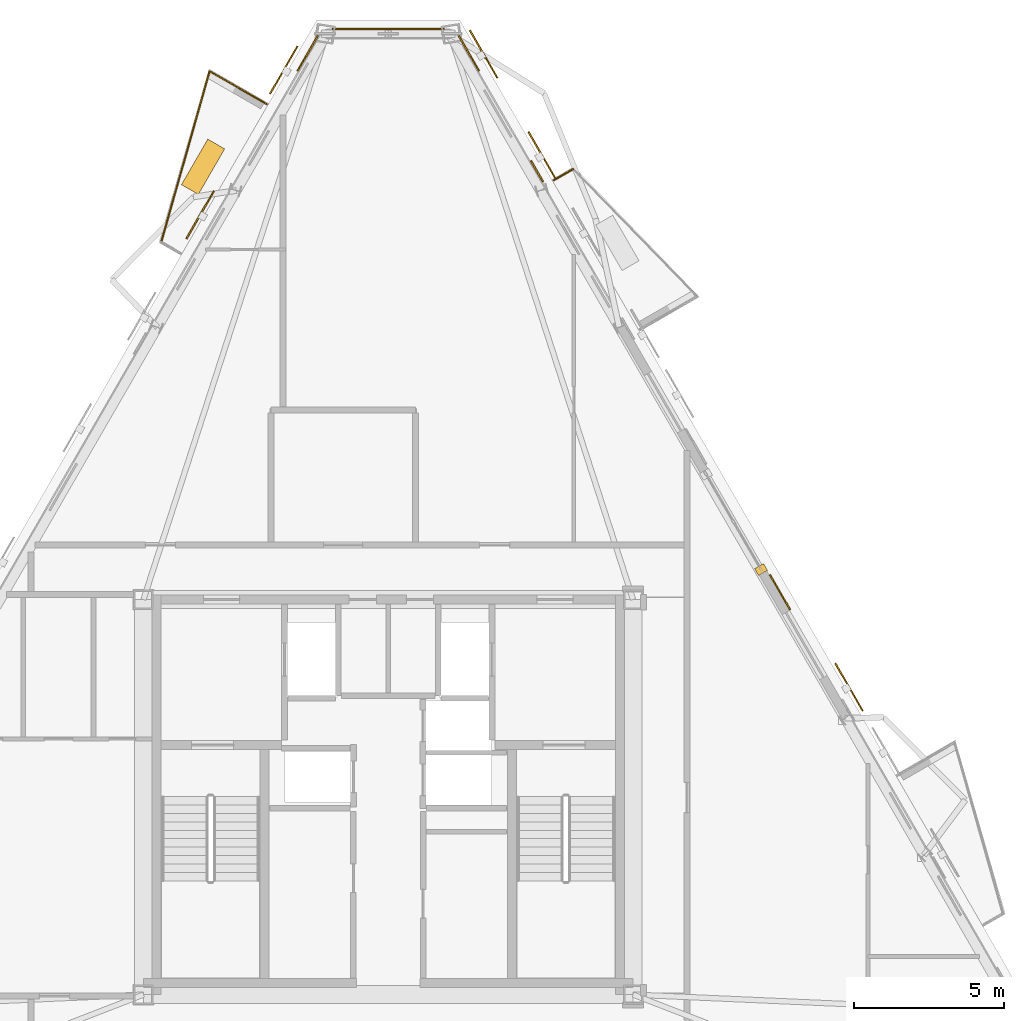
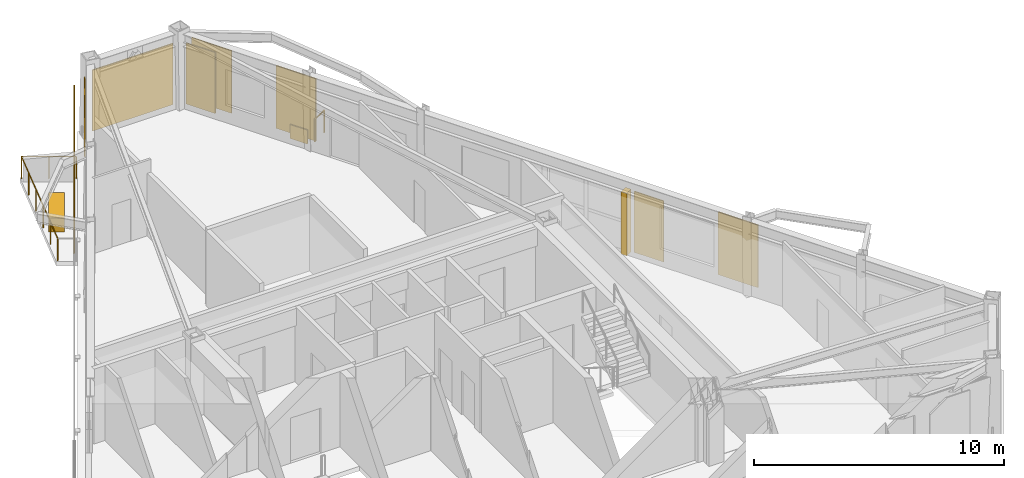
# One storey, part 15 of 15: 7 coverings, 5 shading devices, 3 railings.
"""IFC4 building model written with IfcOpenShell, lengths in metres."""

from ifc_helpers import new_model, si_unit, direction, frame, origin, origin_2d, place, context, subcontext, project, spatial, rectangle, circle, extrude, material, layer, layer_set, type_object, element, save


model = new_model("IFC4")

# Units and contexts
model_context = context("Model", 3, precision=1e-05, world=origin(), true_north=direction((0.0, 1.0)))
body_context = subcontext(model_context, "Body", "Model", "MODEL_VIEW")
ifc_project = project(units=[si_unit("LENGTHUNIT", "METRE"), si_unit("AREAUNIT", "SQUARE_METRE"), si_unit("VOLUMEUNIT", "CUBIC_METRE"), si_unit("PLANEANGLEUNIT", "RADIAN"), si_unit("MASSUNIT", "GRAM", prefix="KILO")], contexts=[model_context])

# Site, building, storey
site_placement = place(None, origin())
site = spatial("IfcSite", under=ifc_project, at=site_placement, CompositionType="ELEMENT")
building_placement = place(site_placement, origin())
building = spatial("IfcBuilding", under=site, at=building_placement, Name="Oramaril Tower", CompositionType="ELEMENT")
storey_placement = place(building_placement, frame((0.0, 0.0, 288.89990234375)))
storey = spatial("IfcBuildingStorey", under=building, at=storey_placement, Name="L76", CompositionType="ELEMENT", Elevation=288.89990234375)

# Coverings
ifc_material_1 = material(Name="Warm Cream Limestone", Category="masonry")
ifc_layer = layer(ifc_material_1, 0.050048828125)
ifc_layer_set = layer_set([ifc_layer], Name="CVT-CLD")
covering_type = type_object("IfcCoveringType", Name="CVT-CLD", PredefinedType="CLADDING", material=ifc_layer_set)
covering_1_placement = place(storey_placement, frame((49.909423828125, 25.151611328125, 0.0), z_axis=(0.0, 0.0, 1.0), x_axis=(-0.5, 0.866025403784, 0.0)))
element("IfcCovering", 1, at=covering_1_placement, inside=storey, type_object=covering_type, Name="L76 Curtain Wall Limestone Jamb Closure", PredefinedType="CLADDING", context=body_context, shape_type="SweptSolid", body=[
    extrude(rectangle(XDim=0.260009765625, YDim=0.340087890625, at=origin_2d()), origin(), (0.0, 0.0, 1.0), 3.05810546875),
])
for number, where, z_axis, x_axis, name in (
    (2, (50.539794921875, 24.3955078125, 0.0400390625), (0.0, 0.0, 1.0), (-0.4999984885, 0.866026276448, 0.0), "L76 Warm Cream Limestone Cladding"),
    (3, (40.18359375, 42.33349609375, 0.0400390625), (0.0, 0.0, 1.0), (-0.4999984885, 0.866026276448, 0.0), "L76 Warm Cream Limestone Cladding"),
):
    element("IfcCovering", number, at=place(storey_placement, frame(where, z_axis=z_axis, x_axis=x_axis)), inside=storey, type_object=covering_type, Name=name, PredefinedType="CLADDING", context=body_context, shape_type="SweptSolid", body=[
        extrude(rectangle(XDim=1.35009765625, YDim=0.050048828125, at=origin_2d()), origin(), (0.0, 0.0, 1.0), 2.97802734375),
    ])
covering_2_placement = place(storey_placement, frame((42.448486328125, 38.41015625, 0.0400390625), z_axis=(0.0, 0.0, 1.0), x_axis=(-0.4999984885, 0.866026276448, 0.0)))
element("IfcCovering", 4, at=covering_2_placement, inside=storey, type_object=covering_type, Name="L76 Warm Cream Limestone Spandrel Cladding", PredefinedType="CLADDING", context=body_context, shape_type="SweptSolid", body=[
    extrude(rectangle(XDim=0.800048828125, YDim=0.050048828125, at=origin_2d()), origin(), (0.0, 0.0, 1.0), 0.679931640625),
])
covering_3_placement = place(storey_placement, frame((37.5, 43.153564453125, 0.0400390625), z_axis=(0.0, 0.0, 1.0), x_axis=(-1.0, 0.0, 0.0)))
element("IfcCovering", 5, at=covering_3_placement, inside=storey, type_object=covering_type, Name="L76 Warm Cream Limestone Cladding", PredefinedType="CLADDING", context=body_context, shape_type="SweptSolid", body=[
    extrude(rectangle(XDim=3.72607421875, YDim=0.050048828125, at=origin_2d()), origin(), (0.0, 0.0, 1.0), 2.97802734375),
])
covering_4_placement = place(storey_placement, frame((34.81640625, 42.33349609375, 0.0400390625), z_axis=(0.0, 0.0, 1.0), x_axis=(-0.4999984885, -0.866026276448, 0.0)))
element("IfcCovering", 6, at=covering_4_placement, inside=storey, type_object=covering_type, Name="L76 Warm Cream Limestone Cladding", PredefinedType="CLADDING", context=body_context, shape_type="SweptSolid", body=[
    extrude(rectangle(XDim=1.35009765625, YDim=0.050048828125, at=origin_2d()), origin(), (0.0, 0.0, 1.0), 2.97802734375),
])
covering_5_placement = place(storey_placement, frame((31.33447265625, 38.559326171875, 0.0), z_axis=(0.0, 0.0, 1.0), x_axis=(-0.4999984885, -0.866026276448, 0.0)))
element("IfcCovering", 7, at=covering_5_placement, inside=storey, type_object=covering_type, Name="L76 Structural Tree Planter Box L76-BAL-NW1", PredefinedType="CLADDING", context=body_context, shape_type="SweptSolid", body=[
    extrude(rectangle(XDim=1.75, YDim=0.64990234375, at=origin_2d()), origin(), (0.0, 0.0, 1.0), 0.699951171875),
])

# Railings
ifc_material_2 = material(Name="Stainless Steel 316L", Category="steel")
railing_type = type_object("IfcRailingType", Name="RLT-GRD", PredefinedType="GUARDRAIL", material=ifc_material_2)
railing_1_placement = place(storey_placement, frame((43.0126953125, 38.113037109375, 0.0)))
element("IfcRailing", 8, at=railing_1_placement, inside=storey, type_object=railing_type, Name="L76 Balcony Guardrail L76-BAL-NE2.1", PredefinedType="GUARDRAIL", context=body_context, shape_type="SweptSolid", body=[
    extrude(circle(Radius=0.02392578125, at=origin_2d()), frame((0.0, 0.0, 1.076171875), z_axis=(0.865966403178, 0.500102178127, 0.0), x_axis=(-0.500102178127, 0.865966403178, 0.0)), (0.0, 0.0, 1.0), 0.741943359375),
    extrude(circle(Radius=0.02099609375, at=origin_2d()), origin(), (0.0, 0.0, 1.0), 1.052001953125),
    extrude(circle(Radius=0.02099609375, at=origin_2d()), frame((0.642578125, 0.37109375, 0.0)), (0.0, 0.0, 1.0), 1.052001953125),
])
railing_2_placement = place(storey_placement, frame((29.9423828125, 36.054931640625, 0.0)))
element("IfcRailing", 9, at=railing_2_placement, inside=storey, type_object=railing_type, Name="L76 Balcony Guardrail L76-BAL-NW1.2", PredefinedType="GUARDRAIL", context=body_context, shape_type="SweptSolid", body=[
    extrude(circle(Radius=0.02392578125, at=origin_2d()), frame((0.0, 0.0, 1.076171875), z_axis=(0.27224886544, 0.962226873074, 0.0), x_axis=(-0.962226873074, 0.27224886544, 0.0)), (0.0, 0.0, 1.0), 5.910400390625),
    extrude(circle(Radius=0.02099609375, at=origin_2d()), origin(), (0.0, 0.0, 1.0), 1.052001953125),
    extrude(circle(Radius=0.02099609375, at=origin_2d()), frame((0.32177734375, 1.137451171875, 0.0)), (0.0, 0.0, 1.0), 1.052001953125),
    extrude(circle(Radius=0.02099609375, at=origin_2d()), frame((0.6435546875, 2.27490234375, 0.0)), (0.0, 0.0, 1.0), 1.052001953125),
    extrude(circle(Radius=0.02099609375, at=origin_2d()), frame((0.965576171875, 3.412353515625, 0.0)), (0.0, 0.0, 1.0), 1.052001953125),
    extrude(circle(Radius=0.02099609375, at=origin_2d()), frame((1.287353515625, 4.5498046875, 0.0)), (0.0, 0.0, 1.0), 1.052001953125),
    extrude(circle(Radius=0.02099609375, at=origin_2d()), frame((1.609130859375, 5.687255859375, 0.0)), (0.0, 0.0, 1.0), 1.052001953125),
])
railing_3_placement = place(storey_placement, frame((31.551513671875, 41.7421875, 0.0)))
element("IfcRailing", 10, at=railing_3_placement, inside=storey, type_object=railing_type, Name="L76 Balcony Guardrail L76-BAL-NW1.3", PredefinedType="GUARDRAIL", context=body_context, shape_type="SweptSolid", body=[
    extrude(circle(Radius=0.02392578125, at=origin_2d()), frame((0.0, 0.0, 1.076171875), z_axis=(0.866020500697, -0.5000084923, 0.0), x_axis=(0.5000084923, 0.866020500697, 0.0)), (0.0, 0.0, 1.0), 2.19189453125),
    extrude(circle(Radius=0.02099609375, at=origin_2d()), origin(), (0.0, 0.0, 1.0), 1.052001953125),
    extrude(circle(Radius=0.02099609375, at=origin_2d()), frame((0.94921875, -0.5478515625, 0.0)), (0.0, 0.0, 1.0), 1.052001953125),
    extrude(circle(Radius=0.02099609375, at=origin_2d()), frame((1.898193359375, -1.095947265625, 0.0)), (0.0, 0.0, 1.0), 1.052001953125),
])

# Shading devices
for number, where, z_axis, x_axis, name in (
    (11, (52.837646484375, 21.239501953125, -0.02001953125), (0.0, 0.0, 1.0), (-0.499996976998, 0.866027149108, 0.0), "L76 Perforated Ceramic Solar Screen"),
    (12, (42.62353515625, 38.93115234375, -0.02001953125), (0.0, 0.0, 1.0), (-0.499996976998, 0.866027149108, 0.0), "L76 Perforated Ceramic Solar Screen"),
    (13, (40.673583984375, 42.30859375, -0.02001953125), (0.0, 0.0, 1.0), (-0.499996976998, 0.866027149108, 0.0), "L76 Perforated Ceramic Solar Screen"),
    (14, (31.23876953125, 36.96044921875, -0.02001953125), (0.0, 0.0, 1.0), (-0.4999984885, -0.866026276448, 0.0), "L76 Perforated Ceramic Solar Screen"),
    (15, (34.0224609375, 41.781982421875, -0.02001953125), (0.0, 0.0, 1.0), (-0.4999984885, -0.866026276448, 0.0), "L76 Perforated Ceramic Solar Screen"),
):
    element("IfcShadingDevice", number, at=place(storey_placement, frame(where, z_axis=z_axis, x_axis=x_axis)), inside=storey, Name=name, ObjectType="SCREEN", PredefinedType="USERDEFINED", context=body_context, shape_type="SweptSolid", body=[
        extrude(rectangle(XDim=1.8330078125, YDim=0.050048828125, at=origin_2d()), origin(), (0.0, 0.0, 1.0), 3.05810546875),
    ])

save(model, "model.ifc")
